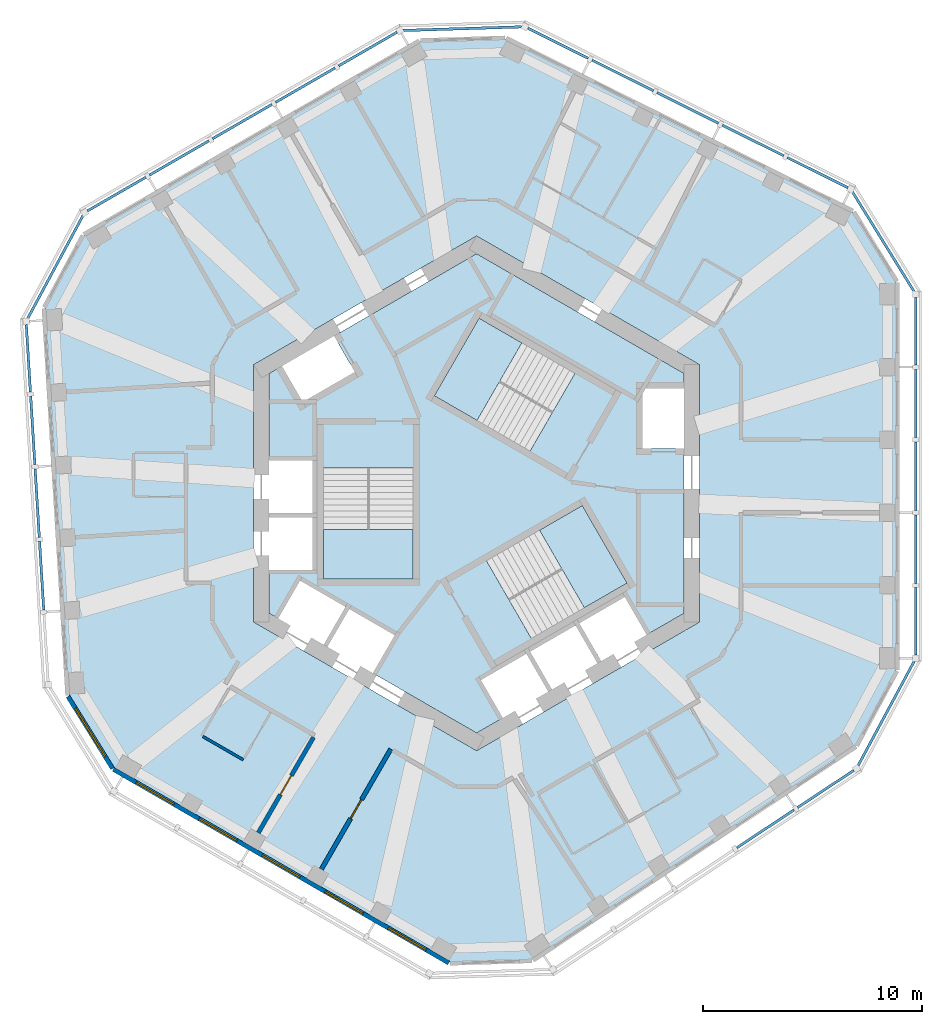
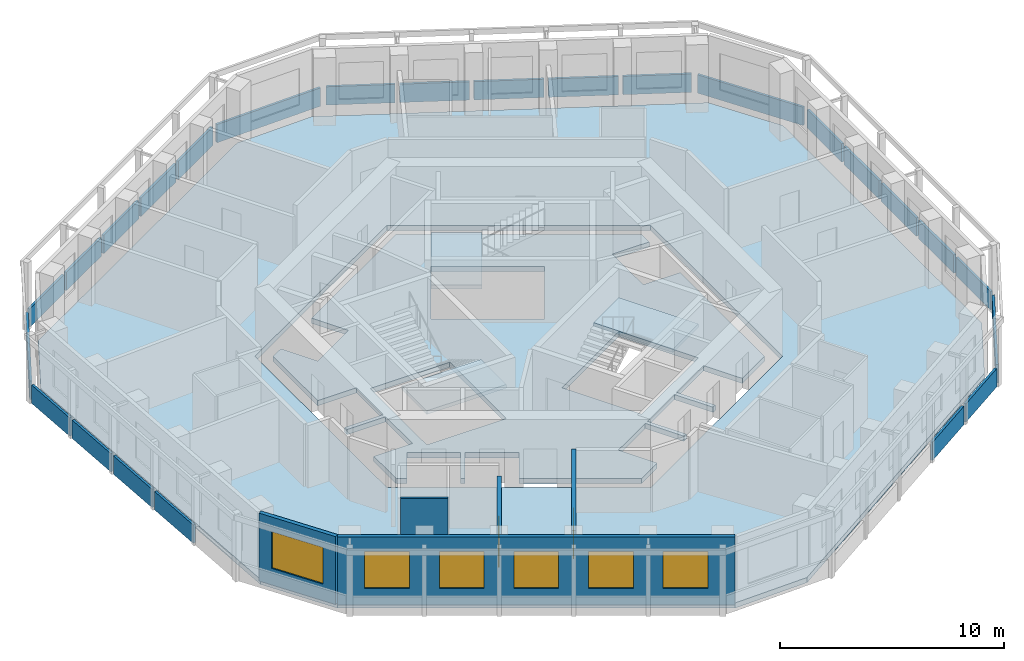
# One storey, part 3 of 11: 25 plates, 6 windows, 5 slabs, 5 walls, 2 doors, 8 openings, 12 elements without a shape of their own.
"""IFC4 building model written with IfcOpenShell, lengths in metres."""

from ifc_helpers import new_model, si_unit, direction, frame, frame_2d, origin, origin_2d, place, context, subcontext, project, spatial, polyline, rectangle, outline, extrude, material, layer, layer_set, type_object, element, fill, aggregate, save


model = new_model("IFC4")

# Units and contexts
model_context = context("Model", 3, precision=1e-05, world=origin(), true_north=direction((0.0, 1.0)))
body_context = subcontext(model_context, "Body", "Model", "MODEL_VIEW")
ifc_project = project(units=[si_unit("LENGTHUNIT", "METRE"), si_unit("AREAUNIT", "SQUARE_METRE"), si_unit("VOLUMEUNIT", "CUBIC_METRE"), si_unit("PLANEANGLEUNIT", "RADIAN"), si_unit("MASSUNIT", "GRAM", prefix="KILO")], contexts=[model_context])

# Site, building, storey
site_placement = place(None, origin())
site = spatial("IfcSite", under=ifc_project, at=site_placement, CompositionType="ELEMENT")
building_placement = place(site_placement, origin())
building = spatial("IfcBuilding", under=site, at=building_placement, Name="Vanh Sen Convention Tower", CompositionType="ELEMENT")
storey_placement = place(building_placement, frame((0.0, 0.0, 289.39990234375)))
storey = spatial("IfcBuildingStorey", under=building, at=storey_placement, Name="L71", CompositionType="ELEMENT", Elevation=289.39990234375)

# Slabs
ifc_material_1 = material(Name="Concrete C40/50", Category="concrete")
ifc_layer_1 = layer(ifc_material_1, 0.280029296875)
ifc_layer_set_1 = layer_set([ifc_layer_1], Name="Concrete C40/50")
slab_type_1 = type_object("IfcSlabType", Name="Core slab 280", PredefinedType="FLOOR", material=ifc_layer_set_1)
slab_1_placement = place(storey_placement, frame((0.0, 0.0, -0.27978515625)))
element("IfcSlab", 1, at=slab_1_placement, inside=storey, type_object=slab_type_1, Name="Core slab L71", PredefinedType="FLOOR", context=body_context, shape_type="SweptSolid", body=[
    extrude(outline(polyline([(0.0, 10.9697265625), (9.5, 5.48486328125), (9.5, 4.800048828125), (7.60009765625, 4.800048828125), (7.60009765625, 2.050048828125), (9.5, 2.050048828125), (9.5, -5.48486328125), (7.781005859375, -6.477294921875), (6.781005859375, -4.7451171875), (4.70263671875, -5.9453125), (5.70263671875, -7.67724609375), (5.529296875, -7.777099609375), (4.529296875, -6.045166015625), (2.450927734375, -7.2451171875), (3.450927734375, -8.977294921875), (3.27783203125, -9.0771484375), (2.27783203125, -7.34521484375), (0.19921875, -8.545166015625), (1.19921875, -10.277099609375), (0.0, -10.9697265625), (-4.75, -8.227294921875), (-3.75, -6.4951171875), (-5.82861328125, -5.295166015625), (-6.82861328125, -7.027099609375), (-7.001708984375, -6.92724609375), (-6.001708984375, -5.1953125), (-8.080078125, -3.9951171875), (-9.080078125, -5.727294921875), (-9.5, -5.48486328125), (-9.5, -3.5), (-7.5, -3.5), (-7.5, -1.10009765625), (-9.5, -1.10009765625), (-9.5, -0.89990234375), (-7.5, -0.89990234375), (-7.5, 1.5), (-9.5, 1.5), (-9.5, 5.48486328125), (-8.906982421875, 5.8271484375), (-7.956787109375, 4.181884765625), (-5.575439453125, 5.556884765625), (-6.525390625, 7.2021484375), (0.0, 10.9697265625)]), holes=[polyline([(-7.0, 1.1494140625), (-7.0, -3.909912109375), (-2.89990234375, -3.909912109375), (-2.89990234375, 1.1494140625), (-7.0, 1.1494140625)]), polyline([(2.504638671875, -6.63671875), (6.88623046875, -4.107177734375), (4.836181640625, -0.556396484375), (0.45458984375, -3.086181640625), (2.504638671875, -6.63671875)]), polyline([(0.11376953125, 8.01708984375), (-1.936279296875, 4.466552734375), (2.4453125, 1.936767578125), (4.495361328125, 5.487548828125), (0.11376953125, 8.01708984375)])]), origin(), (0.0, 0.0, 1.0), 0.27978515625),
])
ifc_layer_2 = layer(ifc_material_1, 0.280029296875)
ifc_layer_set_2 = layer_set([ifc_layer_2], Name="Concrete C40/50")
slab_type_2 = type_object("IfcSlabType", Name="Floor slab 280 REI 120", PredefinedType="FLOOR", material=ifc_layer_set_2)
slab_2_placement = place(storey_placement, frame((0.0, 0.0, -0.27978515625)))
element("IfcSlab", 2, at=slab_2_placement, inside=storey, type_object=slab_type_2, Name="Floor slab L71 tower", PredefinedType="FLOOR", context=body_context, shape_type="SweptSolid", body=[
    extrude(outline(polyline([(19.199951171875, -8.0966796875), (19.199951171875, 9.66162109375), (17.21337890625, 12.871826171875), (1.32080078125, 20.79541015625), (-2.587890625, 20.676025390625), (-17.967041015625, 11.796875), (-19.75390625, 8.471435546875), (-18.669921875, -9.25390625), (-16.612060546875, -12.579345703125), (-1.23291015625, -21.45849609375), (2.54052734375, -21.34326171875), (17.34912109375, -11.541748046875), (19.199951171875, -8.0966796875)]), holes=[polyline([(0.0, 11.77783203125), (-10.199951171875, 5.888916015625), (-10.199951171875, -5.888916015625), (0.0, -11.77783203125), (10.199951171875, -5.888916015625), (10.199951171875, 5.888916015625), (0.0, 11.77783203125)])]), origin(), (0.0, 0.0, 1.0), 0.27978515625),
])

# Curtain wall, plates
ifc_material_2 = material(Name="Concrete C50/60", Category="concrete")
curtain_wall_type = type_object("IfcCurtainWallType", Name="Outer skin office zone", PredefinedType="NOTDEFINED", material=ifc_material_2)
curtain_wall_1_placement = place(storey_placement, origin())
curtain_wall_1 = element("IfcCurtainWall", 3, at=curtain_wall_1_placement, inside=storey, type_object=curtain_wall_type, Name="OUTER SKIN E L71", PredefinedType="NOTDEFINED")
ifc_layer_3 = layer(ifc_material_2, 0.1201171875)
ifc_layer_set_3 = layer_set([ifc_layer_3], Name="Concrete C50/60")
plate_type = type_object("IfcPlateType", Name="Outer skin precast screen panel 120", PredefinedType="CURTAIN_PANEL", material=ifc_layer_set_3)
plate_1_placement = place(storey_placement, frame((20.10009765625, -5.85595703125, 0.0), z_axis=(0.0, 0.0, 1.0), x_axis=(0.0, 1.0, 0.0)))
plate_1 = element("IfcPlate", 4, at=plate_1_placement, type_object=plate_type, Name="OUTER SKIN screen panel E-1", PredefinedType="CURTAIN_PANEL", context=body_context, shape_type="SweptSolid", body=[
    extrude(rectangle(XDim=3.08154296875, YDim=0.1201171875, at=origin_2d()), origin(), (0.0, 0.0, 1.0), 1.0),
])
plate_2_placement = place(storey_placement, frame((20.10009765625, -2.54931640625, 0.0), z_axis=(0.0, 0.0, 1.0), x_axis=(0.0, 1.0, 0.0)))
plate_2 = element("IfcPlate", 5, at=plate_2_placement, type_object=plate_type, Name="OUTER SKIN screen panel E-2", PredefinedType="CURTAIN_PANEL", context=body_context, shape_type="SweptSolid", body=[
    extrude(rectangle(XDim=3.131591796875, YDim=0.1201171875, at=origin_2d()), origin(), (0.0, 0.0, 1.0), 1.0),
])
plate_3_placement = place(storey_placement, frame((20.10009765625, 0.782470703125, 0.0), z_axis=(0.0, 0.0, 1.0), x_axis=(0.0, 1.0, 0.0)))
plate_3 = element("IfcPlate", 6, at=plate_3_placement, type_object=plate_type, Name="OUTER SKIN screen panel E-3", PredefinedType="CURTAIN_PANEL", context=body_context, shape_type="SweptSolid", body=[
    extrude(rectangle(XDim=3.131591796875, YDim=0.1201171875, at=origin_2d()), origin(), (0.0, 0.0, 1.0), 1.0),
])
plate_4_placement = place(storey_placement, frame((20.10009765625, 4.114013671875, 0.0), z_axis=(0.0, 0.0, 1.0), x_axis=(0.0, 1.0, 0.0)))
plate_4 = element("IfcPlate", 7, at=plate_4_placement, type_object=plate_type, Name="OUTER SKIN screen panel E-4", PredefinedType="CURTAIN_PANEL", context=body_context, shape_type="SweptSolid", body=[
    extrude(rectangle(XDim=3.131591796875, YDim=0.1201171875, at=origin_2d()), origin(), (0.0, 0.0, 1.0), 1.0),
])
plate_5_placement = place(storey_placement, frame((20.10009765625, 7.420654296875, 0.0), z_axis=(0.0, 0.0, 1.0), x_axis=(0.0, 1.0, 0.0)))
plate_5 = element("IfcPlate", 8, at=plate_5_placement, type_object=plate_type, Name="OUTER SKIN screen panel E-5", PredefinedType="CURTAIN_PANEL", context=body_context, shape_type="SweptSolid", body=[
    extrude(rectangle(XDim=3.08154296875, YDim=0.1201171875, at=origin_2d()), origin(), (0.0, 0.0, 1.0), 1.0),
])
aggregate(curtain_wall_1, [plate_1, plate_2, plate_3, plate_4, plate_5])

# Curtain wall, plate
curtain_wall_2_placement = place(storey_placement, origin())
curtain_wall_2 = element("IfcCurtainWall", 9, at=curtain_wall_2_placement, inside=storey, type_object=curtain_wall_type, Name="OUTER SKIN CH1 L71", PredefinedType="NOTDEFINED")
plate_6_placement = place(storey_placement, frame((18.611328125, 11.51708984375, 0.0), z_axis=(0.0, 0.0, 1.0), x_axis=(-0.526218376078, 0.850349469734, 0.0)))
plate_6 = element("IfcPlate", 10, at=plate_6_placement, type_object=plate_type, Name="OUTER SKIN screen panel CH1-1", PredefinedType="CURTAIN_PANEL", context=body_context, shape_type="SweptSolid", body=[
    extrude(rectangle(XDim=5.35791015625, YDim=0.1201171875, at=origin_2d()), origin(), (0.0, 0.0, 1.0), 1.0),
])
aggregate(curtain_wall_2, [plate_6])

# Curtain wall, plates
curtain_wall_3_placement = place(storey_placement, origin())
curtain_wall_3 = element("IfcCurtainWall", 11, at=curtain_wall_3_placement, inside=storey, type_object=curtain_wall_type, Name="OUTER SKIN NE L71", PredefinedType="NOTDEFINED")
plate_7_placement = place(storey_placement, frame((15.609619140625, 14.677001953125, 0.0), z_axis=(0.0, 0.0, 1.0), x_axis=(-0.894931246532, 0.446204060919, 0.0)))
plate_7 = element("IfcPlate", 12, at=plate_7_placement, type_object=plate_type, Name="OUTER SKIN screen panel NE-1", PredefinedType="CURTAIN_PANEL", context=body_context, shape_type="SweptSolid", body=[
    extrude(rectangle(XDim=3.081787109375, YDim=0.1201171875, at=origin_2d()), origin(), (0.0, 0.0, 1.0), 1.0),
])
plate_8_placement = place(storey_placement, frame((12.650390625, 16.152587890625, 0.0), z_axis=(0.0, 0.0, 1.0), x_axis=(-0.894931246532, 0.446204060919, 0.0)))
plate_8 = element("IfcPlate", 13, at=plate_8_placement, type_object=plate_type, Name="OUTER SKIN screen panel NE-2", PredefinedType="CURTAIN_PANEL", context=body_context, shape_type="SweptSolid", body=[
    extrude(rectangle(XDim=3.131591796875, YDim=0.1201171875, at=origin_2d()), origin(), (0.0, 0.0, 1.0), 1.0),
])
plate_9_placement = place(storey_placement, frame((9.668701171875, 17.63916015625, 0.0), z_axis=(0.0, 0.0, 1.0), x_axis=(-0.894931246532, 0.446204060919, 0.0)))
plate_9 = element("IfcPlate", 14, at=plate_9_placement, type_object=plate_type, Name="OUTER SKIN screen panel NE-3", PredefinedType="CURTAIN_PANEL", context=body_context, shape_type="SweptSolid", body=[
    extrude(rectangle(XDim=3.131591796875, YDim=0.1201171875, at=origin_2d()), origin(), (0.0, 0.0, 1.0), 1.0),
])
plate_10_placement = place(storey_placement, frame((6.687255859375, 19.125732421875, 0.0), z_axis=(0.0, 0.0, 1.0), x_axis=(-0.89494292782, 0.446180631521, 0.0)))
plate_10 = element("IfcPlate", 15, at=plate_10_placement, type_object=plate_type, Name="OUTER SKIN screen panel NE-4", PredefinedType="CURTAIN_PANEL", context=body_context, shape_type="SweptSolid", body=[
    extrude(rectangle(XDim=3.131591796875, YDim=0.1201171875, at=origin_2d()), origin(), (0.0, 0.0, 1.0), 1.0),
])
plate_11_placement = place(storey_placement, frame((3.727783203125, 20.60107421875, 0.0), z_axis=(0.0, 0.0, 1.0), x_axis=(-0.894931246532, 0.446204060919, 0.0)))
plate_11 = element("IfcPlate", 16, at=plate_11_placement, type_object=plate_type, Name="OUTER SKIN screen panel NE-5", PredefinedType="CURTAIN_PANEL", context=body_context, shape_type="SweptSolid", body=[
    extrude(rectangle(XDim=3.081787109375, YDim=0.1201171875, at=origin_2d()), origin(), (0.0, 0.0, 1.0), 1.0),
])
aggregate(curtain_wall_3, [plate_7, plate_8, plate_9, plate_10, plate_11])

# Curtain wall, plate
curtain_wall_4_placement = place(storey_placement, origin())
curtain_wall_4 = element("IfcCurtainWall", 17, at=curtain_wall_4_placement, inside=storey, type_object=curtain_wall_type, Name="OUTER SKIN CH2 L71", PredefinedType="NOTDEFINED")
plate_12_placement = place(storey_placement, frame((-0.64990234375, 21.26806640625, 0.0), z_axis=(0.0, 0.0, 1.0), x_axis=(-0.99953391058, -0.030528046117, 0.0)))
plate_12 = element("IfcPlate", 18, at=plate_12_placement, type_object=plate_type, Name="OUTER SKIN screen panel CH2-1", PredefinedType="CURTAIN_PANEL", context=body_context, shape_type="SweptSolid", body=[
    extrude(rectangle(XDim=5.431640625, YDim=0.1201171875, at=origin_2d()), origin(), (0.0, 0.0, 1.0), 1.0),
])
aggregate(curtain_wall_4, [plate_12])

# Curtain wall, plates
curtain_wall_5_placement = place(storey_placement, origin())
curtain_wall_5 = element("IfcCurtainWall", 19, at=curtain_wall_5_placement, inside=storey, type_object=curtain_wall_type, Name="OUTER SKIN NW L71", PredefinedType="NOTDEFINED")
plate_13_placement = place(storey_placement, frame((-4.978515625, 20.335205078125, 0.0), z_axis=(0.0, 0.0, 1.0), x_axis=(-0.866015804314, -0.500016626402, 0.0)))
plate_13 = element("IfcPlate", 20, at=plate_13_placement, type_object=plate_type, Name="OUTER SKIN screen panel NW-1", PredefinedType="CURTAIN_PANEL", context=body_context, shape_type="SweptSolid", body=[
    extrude(rectangle(XDim=3.081787109375, YDim=0.1201171875, at=origin_2d()), origin(), (0.0, 0.0, 1.0), 1.0),
])
plate_14_placement = place(storey_placement, frame((-7.84228515625, 18.681640625, 0.0), z_axis=(0.0, 0.0, 1.0), x_axis=(-0.866028894422, -0.49999395399, 0.0)))
plate_14 = element("IfcPlate", 21, at=plate_14_placement, type_object=plate_type, Name="OUTER SKIN screen panel NW-2", PredefinedType="CURTAIN_PANEL", context=body_context, shape_type="SweptSolid", body=[
    extrude(rectangle(XDim=3.131591796875, YDim=0.1201171875, at=origin_2d()), origin(), (0.0, 0.0, 1.0), 1.0),
])
plate_15_placement = place(storey_placement, frame((-10.7275390625, 17.015869140625, 0.0), z_axis=(0.0, 0.0, 1.0), x_axis=(-0.866028894422, -0.49999395399, 0.0)))
plate_15 = element("IfcPlate", 22, at=plate_15_placement, type_object=plate_type, Name="OUTER SKIN screen panel NW-3", PredefinedType="CURTAIN_PANEL", context=body_context, shape_type="SweptSolid", body=[
    extrude(rectangle(XDim=3.131591796875, YDim=0.1201171875, at=origin_2d()), origin(), (0.0, 0.0, 1.0), 1.0),
])
plate_16_placement = place(storey_placement, frame((-13.61279296875, 15.35009765625, 0.0), z_axis=(0.0, 0.0, 1.0), x_axis=(-0.866015804314, -0.500016626402, 0.0)))
plate_16 = element("IfcPlate", 23, at=plate_16_placement, type_object=plate_type, Name="OUTER SKIN screen panel NW-4", PredefinedType="CURTAIN_PANEL", context=body_context, shape_type="SweptSolid", body=[
    extrude(rectangle(XDim=3.131591796875, YDim=0.1201171875, at=origin_2d()), origin(), (0.0, 0.0, 1.0), 1.0),
])
plate_17_placement = place(storey_placement, frame((-16.4765625, 13.69677734375, 0.0), z_axis=(0.0, 0.0, 1.0), x_axis=(-0.866028894422, -0.49999395399, 0.0)))
plate_17 = element("IfcPlate", 24, at=plate_17_placement, type_object=plate_type, Name="OUTER SKIN screen panel NW-5", PredefinedType="CURTAIN_PANEL", context=body_context, shape_type="SweptSolid", body=[
    extrude(rectangle(XDim=3.08154296875, YDim=0.1201171875, at=origin_2d()), origin(), (0.0, 0.0, 1.0), 1.0),
])
aggregate(curtain_wall_5, [plate_13, plate_14, plate_15, plate_16, plate_17])

# Curtain wall, plate
curtain_wall_6_placement = place(storey_placement, origin())
curtain_wall_6 = element("IfcCurtainWall", 25, at=curtain_wall_6_placement, inside=storey, type_object=curtain_wall_type, Name="OUTER SKIN CH3 L71", PredefinedType="NOTDEFINED")
plate_18_placement = place(storey_placement, frame((-19.27978515625, 10.359375, 0.0), z_axis=(0.0, 0.0, 1.0), x_axis=(-0.473324279511, -0.880888259897, 0.0)))
plate_18 = element("IfcPlate", 26, at=plate_18_placement, type_object=plate_type, Name="OUTER SKIN screen panel CH3-1", PredefinedType="CURTAIN_PANEL", context=body_context, shape_type="SweptSolid", body=[
    extrude(rectangle(XDim=5.35791015625, YDim=0.1201171875, at=origin_2d()), origin(), (0.0, 0.0, 1.0), 1.0),
])
aggregate(curtain_wall_6, [plate_18])

# Curtain wall, plates
curtain_wall_7_placement = place(storey_placement, origin())
curtain_wall_7 = element("IfcCurtainWall", 27, at=curtain_wall_7_placement, inside=storey, type_object=curtain_wall_type, Name="OUTER SKIN W L71", PredefinedType="NOTDEFINED")
plate_19_placement = place(storey_placement, frame((-20.515380859375, 6.1796875, 0.0), z_axis=(0.0, 0.0, 1.0), x_axis=(0.061052023682, -0.998134585316, 0.0)))
plate_19 = element("IfcPlate", 28, at=plate_19_placement, type_object=plate_type, Name="OUTER SKIN screen panel W-1", PredefinedType="CURTAIN_PANEL", context=body_context, shape_type="SweptSolid", body=[
    extrude(rectangle(XDim=3.08154296875, YDim=0.1201171875, at=origin_2d()), origin(), (0.0, 0.0, 1.0), 1.0),
])
plate_20_placement = place(storey_placement, frame((-20.313720703125, 2.87939453125, 0.0), z_axis=(0.0, 0.0, 1.0), x_axis=(0.061050281609, -0.998134691871, 0.0)))
plate_20 = element("IfcPlate", 29, at=plate_20_placement, type_object=plate_type, Name="OUTER SKIN screen panel W-2", PredefinedType="CURTAIN_PANEL", context=body_context, shape_type="SweptSolid", body=[
    extrude(rectangle(XDim=3.131591796875, YDim=0.1201171875, at=origin_2d()), origin(), (0.0, 0.0, 1.0), 1.0),
])
plate_21_placement = place(storey_placement, frame((-20.1103515625, -0.4462890625, 0.0), z_axis=(0.0, 0.0, 1.0), x_axis=(0.061052023682, -0.998134585316, 0.0)))
plate_21 = element("IfcPlate", 30, at=plate_21_placement, type_object=plate_type, Name="OUTER SKIN screen panel W-3", PredefinedType="CURTAIN_PANEL", context=body_context, shape_type="SweptSolid", body=[
    extrude(rectangle(XDim=3.131591796875, YDim=0.1201171875, at=origin_2d()), origin(), (0.0, 0.0, 1.0), 1.0),
])
plate_22_placement = place(storey_placement, frame((-19.906982421875, -3.771484375, 0.0), z_axis=(0.0, 0.0, 1.0), x_axis=(0.061052023682, -0.998134585316, 0.0)))
plate_22 = element("IfcPlate", 31, at=plate_22_placement, type_object=plate_type, Name="OUTER SKIN screen panel W-4", PredefinedType="CURTAIN_PANEL", context=body_context, shape_type="SweptSolid", body=[
    extrude(rectangle(XDim=3.131591796875, YDim=0.1201171875, at=origin_2d()), origin(), (0.0, 0.0, 1.0), 1.0),
])
aggregate(curtain_wall_7, [plate_19, plate_20, plate_21, plate_22])

curtain_wall_8_placement = place(storey_placement, origin())
curtain_wall_8 = element("IfcCurtainWall", 32, at=curtain_wall_8_placement, inside=storey, type_object=curtain_wall_type, Name="OUTER SKIN SE L71", PredefinedType="NOTDEFINED")
plate_23_placement = place(storey_placement, frame((13.2197265625, -15.35400390625, 0.0), z_axis=(0.0, 0.0, 1.0), x_axis=(0.833879078823, 0.551947173108, 0.0)))
plate_23 = element("IfcPlate", 33, at=plate_23_placement, type_object=plate_type, Name="OUTER SKIN screen panel SE-4", PredefinedType="CURTAIN_PANEL", context=body_context, shape_type="SweptSolid", body=[
    extrude(rectangle(XDim=3.131591796875, YDim=0.1201171875, at=origin_2d()), origin(), (0.0, 0.0, 1.0), 1.0),
])
plate_24_placement = place(storey_placement, frame((15.97705078125, -13.529052734375, 0.0), z_axis=(0.0, 0.0, 1.0), x_axis=(0.833879078823, 0.551947173108, 0.0)))
plate_24 = element("IfcPlate", 34, at=plate_24_placement, type_object=plate_type, Name="OUTER SKIN screen panel SE-5", PredefinedType="CURTAIN_PANEL", context=body_context, shape_type="SweptSolid", body=[
    extrude(rectangle(XDim=3.081787109375, YDim=0.1201171875, at=origin_2d()), origin(), (0.0, 0.0, 1.0), 1.0),
])
aggregate(curtain_wall_8, [plate_23, plate_24])

# Curtain wall, plate
curtain_wall_9_placement = place(storey_placement, origin())
curtain_wall_9 = element("IfcCurtainWall", 35, at=curtain_wall_9_placement, inside=storey, type_object=curtain_wall_type, Name="OUTER SKIN CH6 L71", PredefinedType="NOTDEFINED")
plate_25_placement = place(storey_placement, frame((18.743408203125, -10.0712890625, 0.0), z_axis=(0.0, 0.0, 1.0), x_axis=(0.473324279511, 0.880888259897, 0.0)))
plate_25 = element("IfcPlate", 36, at=plate_25_placement, type_object=plate_type, Name="OUTER SKIN screen panel CH6-1", PredefinedType="CURTAIN_PANEL", context=body_context, shape_type="SweptSolid", body=[
    extrude(rectangle(XDim=5.431884765625, YDim=0.1201171875, at=origin_2d()), origin(), (0.0, 0.0, 1.0), 1.0),
])
aggregate(curtain_wall_9, [plate_25])

# Stair, slab
ifc_material_3 = material(Name="Concrete C50/60", Category="concrete")
stair_type_1 = type_object("IfcStairType", Name="Exit stair ST1 22 risers at 168.2", PredefinedType="HALF_TURN_STAIR", material=ifc_material_3)
stair_1_placement = place(storey_placement, origin())
stair_1 = element("IfcStair", 37, at=stair_1_placement, inside=storey, type_object=stair_type_1, Name="Exit stair ST1 L71", PredefinedType="HALF_TURN_STAIR")
ifc_layer_4 = layer(ifc_material_1, 0.199951171875)
ifc_layer_set_4 = layer_set([ifc_layer_4], Name="Concrete C40/50")
slab_type_3 = type_object("IfcSlabType", Name="Stair landing 200", PredefinedType="LANDING", material=ifc_layer_set_4)
slab_3_placement = place(storey_placement, frame((0.0, 0.0, 1.650146484375)))
slab_3 = element("IfcSlab", 38, at=slab_3_placement, type_object=slab_type_3, Name="ST1 landing 1", PredefinedType="LANDING", context=body_context, shape_type="SweptSolid", body=[
    extrude(outline(polyline([(2.07177734375, 6.88671875), (0.11376953125, 8.01708984375), (-1.936279296875, 4.466552734375), (0.021728515625, 3.336181640625), (2.07177734375, 6.88671875)])), origin(), (0.0, 0.0, 1.0), 0.199951171875),
])
aggregate(stair_1, [slab_3])

stair_type_2 = type_object("IfcStairType", Name="Exit stair ST2 22 risers at 168.2", PredefinedType="HALF_TURN_STAIR", material=ifc_material_3)
stair_2_placement = place(storey_placement, origin())
stair_2 = element("IfcStair", 39, at=stair_2_placement, inside=storey, type_object=stair_type_2, Name="Exit stair ST2 L71", PredefinedType="HALF_TURN_STAIR")
slab_4_placement = place(storey_placement, frame((0.0, 0.0, 1.650146484375)))
slab_4 = element("IfcSlab", 40, at=slab_4_placement, type_object=slab_type_3, Name="ST2 landing 1", PredefinedType="LANDING", context=body_context, shape_type="SweptSolid", body=[
    extrude(outline(polyline([(-7.0, -1.6494140625), (-7.0, -3.909912109375), (-2.89990234375, -3.909912109375), (-2.89990234375, -1.6494140625), (-7.0, -1.6494140625)])), origin(), (0.0, 0.0, 1.0), 0.199951171875),
])
aggregate(stair_2, [slab_4])

stair_type_3 = type_object("IfcStairType", Name="Exit stair ST3 22 risers at 168.2", PredefinedType="HALF_TURN_STAIR", material=ifc_material_3)
stair_3_placement = place(storey_placement, origin())
stair_3 = element("IfcStair", 41, at=stair_3_placement, inside=storey, type_object=stair_type_3, Name="Exit stair ST3 L71", PredefinedType="HALF_TURN_STAIR")
slab_5_placement = place(storey_placement, frame((0.0, 0.0, 1.650146484375)))
slab_5 = element("IfcSlab", 42, at=slab_5_placement, type_object=slab_type_3, Name="ST3 landing 1", PredefinedType="LANDING", context=body_context, shape_type="SweptSolid", body=[
    extrude(outline(polyline([(4.92822265625, -5.237548828125), (6.88623046875, -4.107177734375), (4.836181640625, -0.556396484375), (2.87841796875, -1.686767578125), (4.92822265625, -5.237548828125)])), origin(), (0.0, 0.0, 1.0), 0.199951171875),
])
aggregate(stair_3, [slab_5])

# Wall
ifc_material_4 = material(Name="Moisture-resistant gypsum board on steel studs", Category="steel")
ifc_layer_5 = layer(ifc_material_4, 0.1201171875)
ifc_layer_set_5 = layer_set([ifc_layer_5], Name="Moisture-resistant gypsum board on steel studs")
wall_type_1 = type_object("IfcWallType", Name="Bathroom partition 120", PredefinedType="PARTITIONING", material=ifc_layer_set_5)
wall_1_placement = place(storey_placement, frame((-10.67919921875, -12.1953125, 0.0), z_axis=(0.0, 0.0, 1.0), x_axis=(-0.866037418504, 0.499979189318, 0.0)))
element("IfcWall", 43, at=wall_1_placement, inside=storey, type_object=wall_type_1, Name="Bathroom partition 120", PredefinedType="PARTITIONING", context=body_context, shape_type="SweptSolid", body=[
    extrude(rectangle(XDim=2.14013671875, YDim=0.1201171875, at=frame_2d((1.070068359375, 0.0))), origin(), (0.0, 0.0, 1.0), 3.420166015625),
])

# Wall, opening, door
ifc_material_5 = material(Name="Gypsum board on steel studs with mineral wool", Category="steel")
ifc_layer_6 = layer(ifc_material_5, 0.199951171875)
ifc_layer_set_6 = layer_set([ifc_layer_6], Name="Gypsum board on steel studs with mineral wool")
wall_type_2 = type_object("IfcWallType", Name="Corridor partition wall 200", PredefinedType="PARTITIONING", material=ifc_layer_set_6)
wall_2_placement = place(storey_placement, frame((-9.989990234375, -15.53662109375, 0.0), z_axis=(0.0, 0.0, 1.0), x_axis=(0.499966611936, 0.866044679534, 0.0)))
wall_2 = element("IfcWall", 44, at=wall_2_placement, inside=storey, type_object=wall_type_2, Name="Corridor partition wall 200", PredefinedType="PARTITIONING", context=body_context, shape_type="SweptSolid", body=[
    extrude(rectangle(XDim=5.049072265625, YDim=0.199951171875, at=frame_2d((2.5244140625, 0.0))), origin(), (0.0, 0.0, 1.0), 2.8701171875),
])
opening_1_placement = place(wall_2_placement, frame((2.0244140625, 0.0, 0.0)))
opening_1 = element("IfcOpeningElement", 45, at=opening_1_placement, cuts=wall_2, Name="Opening D70113", PredefinedType="OPENING", context=body_context, shape_type="SweptSolid", body=[
    extrude(rectangle(XDim=1.0, YDim=2.10009765625, at=frame_2d((0.5, 1.050048828125))), frame((0.0, 0.10986328125, 0.0), z_axis=(0.0, -1.0, 0.0), x_axis=(1.0, 0.0, 0.0)), (0.0, 0.0, 1.0), 0.219970703125),
])
ifc_material_6 = material(Name="Glazed fire door in steel frame", Category="steel")
door_type_1 = type_object("IfcDoorType", Name="Tenant entrance door 1000", OperationType="SINGLE_SWING_LEFT", PredefinedType="DOOR", material=ifc_material_6)
door_1_placement = place(opening_1_placement, origin())
door_1 = element("IfcDoor", 46, at=door_1_placement, inside=storey, type_object=door_type_1, Name="Tenant suite entrance door D70113", OperationType="SINGLE_SWING_LEFT", OverallHeight=2.10009765625, OverallWidth=1.0, PredefinedType="DOOR", context=body_context, shape_type="SweptSolid", body=[
    extrude(rectangle(XDim=1.0, YDim=2.10009765625, at=frame_2d((0.5, 1.050048828125))), frame((0.0, 0.02490234375, 0.0), z_axis=(0.0, -1.0, 0.0), x_axis=(1.0, 0.0, 0.0)), (0.0, 0.0, 1.0), 0.050048828125),
])
fill(opening_1, door_1)

wall_3_placement = place(storey_placement, frame((-7.104736328125, -17.202392578125, 0.0), z_axis=(0.0, 0.0, 1.0), x_axis=(0.499988692146, 0.866031932279, 0.0)))
wall_3 = element("IfcWall", 47, at=wall_3_placement, inside=storey, type_object=wall_type_2, Name="Corridor partition wall 200", PredefinedType="PARTITIONING", context=body_context, shape_type="SweptSolid", body=[
    extrude(rectangle(XDim=6.350341796875, YDim=0.199951171875, at=frame_2d((3.17529296875, 0.0))), origin(), (0.0, 0.0, 1.0), 3.420166015625),
])
opening_2_placement = place(wall_3_placement, frame((2.675048828125, 0.0, 0.0)))
opening_2 = element("IfcOpeningElement", 48, at=opening_2_placement, cuts=wall_3, Name="Opening D70115", PredefinedType="OPENING", context=body_context, shape_type="SweptSolid", body=[
    extrude(rectangle(XDim=1.0, YDim=2.10009765625, at=frame_2d((0.5, 1.050048828125))), frame((0.0, 0.10986328125, 0.0), z_axis=(0.0, -1.0, 0.0), x_axis=(1.0, 0.0, 0.0)), (0.0, 0.0, 1.0), 0.219970703125),
])
ifc_material_7 = material(Name="Timber fire door in steel frame", Category="steel")
door_type_2 = type_object("IfcDoorType", Name="Floor room door 1000", OperationType="SINGLE_SWING_LEFT", PredefinedType="DOOR", material=ifc_material_7)
door_2_placement = place(opening_2_placement, origin())
door_2 = element("IfcDoor", 49, at=door_2_placement, inside=storey, type_object=door_type_2, Name="Meeting and amenity room door D70115", OperationType="SINGLE_SWING_LEFT", OverallHeight=2.10009765625, OverallWidth=1.0, PredefinedType="DOOR", context=body_context, shape_type="SweptSolid", body=[
    extrude(rectangle(XDim=1.0, YDim=2.10009765625, at=frame_2d((0.5, 1.050048828125))), frame((0.0, 0.02490234375, 0.0), z_axis=(0.0, -1.0, 0.0), x_axis=(1.0, 0.0, 0.0)), (0.0, 0.0, 1.0), 0.050048828125),
])
fill(opening_2, door_2)

# Wall, opening, window
ifc_material_8 = material(Name="Insulated lightweight infill wall")
ifc_layer_7 = layer(ifc_material_8, 0.199951171875)
ifc_layer_set_7 = layer_set([ifc_layer_7], Name="Insulated lightweight infill wall")
wall_type_3 = type_object("IfcWallType", Name="External wall 200", PredefinedType="STANDARD", material=ifc_layer_set_7)
wall_4_placement = place(storey_placement, frame((-18.705810546875, -9.290771484375, 0.0), z_axis=(0.0, 0.0, 1.0), x_axis=(0.526209683648, -0.850354848775, 0.0)))
wall_4 = element("IfcWall", 50, at=wall_4_placement, inside=storey, type_object=wall_type_3, Name="External wall CH4 L71", PredefinedType="STANDARD", context=body_context, shape_type="SweptSolid", body=[
    extrude(rectangle(XDim=3.8857421875, YDim=0.199951171875, at=frame_2d((1.94287109375, 0.0))), origin(), (0.0, 0.0, 1.0), 3.7001953125),
])
opening_3_placement = place(wall_4_placement, frame((0.642822265625, 0.0, 0.89990234375)))
opening_3 = element("IfcOpeningElement", 51, at=opening_3_placement, cuts=wall_4, Name="Opening WO6-CH41", PredefinedType="OPENING", context=body_context, shape_type="SweptSolid", body=[
    extrude(rectangle(XDim=2.60009765625, YDim=2.0, at=frame_2d((1.300048828125, 1.0))), frame((0.0, 0.10986328125, 0.0), z_axis=(0.0, -1.0, 0.0), x_axis=(1.0, 0.0, 0.0)), (0.0, 0.0, 1.0), 0.219970703125),
])
ifc_material_9 = material(Name="Aluminium frame with clear low-emissivity glass", Category="aluminium")
window_type_1 = type_object("IfcWindowType", Name="Office window 2600 x 2000", PartitioningType="SINGLE_PANEL", PredefinedType="WINDOW", material=ifc_material_9)
window_1_placement = place(opening_3_placement, origin())
window_1 = element("IfcWindow", 52, at=window_1_placement, inside=storey, type_object=window_type_1, Name="Window WO6-CH41", OverallHeight=2.0, OverallWidth=2.60009765625, PartitioningType="SINGLE_PANEL", PredefinedType="WINDOW", context=body_context, shape_type="SweptSolid", body=[
    extrude(rectangle(XDim=2.60009765625, YDim=2.0, at=frame_2d((1.300048828125, 1.0))), frame((0.0, 0.030029296875, 0.0), z_axis=(0.0, -1.0, 0.0), x_axis=(1.0, 0.0, 0.0)), (0.0, 0.0, 1.0), 0.06005859375),
])
fill(opening_3, window_1)

# Wall, openings, windows
wall_5_placement = place(storey_placement, frame((-16.626220703125, -12.62890625, 0.0), z_axis=(0.0, 0.0, 1.0), x_axis=(0.866026460444, -0.499998169808, 0.0)))
wall_5 = element("IfcWall", 53, at=wall_5_placement, inside=storey, type_object=wall_type_3, Name="External wall SW L71", PredefinedType="STANDARD", context=body_context, shape_type="SweptSolid", body=[
    extrude(rectangle(XDim=17.7314453125, YDim=0.199951171875, at=frame_2d((8.86572265625, 0.0))), origin(), (0.0, 0.0, 1.0), 3.7001953125),
])
opening_4_placement = place(wall_5_placement, frame((1.203125, 0.0, 0.89990234375)))
opening_4 = element("IfcOpeningElement", 54, at=opening_4_placement, cuts=wall_5, Name="Opening WO5-SW1", PredefinedType="OPENING", context=body_context, shape_type="SweptSolid", body=[
    extrude(rectangle(XDim=2.0, YDim=2.0, at=frame_2d((1.0, 1.0))), frame((0.0, 0.10986328125, 0.0), z_axis=(0.0, -1.0, 0.0), x_axis=(1.0, 0.0, 0.0)), (0.0, 0.0, 1.0), 0.219970703125),
])
opening_5_placement = place(wall_5_placement, frame((4.534912109375, 0.0, 0.89990234375)))
opening_5 = element("IfcOpeningElement", 55, at=opening_5_placement, cuts=wall_5, Name="Opening WO5-SW2", PredefinedType="OPENING", context=body_context, shape_type="SweptSolid", body=[
    extrude(rectangle(XDim=2.0, YDim=2.0, at=frame_2d((1.0, 1.0))), frame((0.0, 0.10986328125, 0.0), z_axis=(0.0, -1.0, 0.0), x_axis=(1.0, 0.0, 0.0)), (0.0, 0.0, 1.0), 0.219970703125),
])
opening_6_placement = place(wall_5_placement, frame((7.86669921875, 0.0, 0.89990234375)))
opening_6 = element("IfcOpeningElement", 56, at=opening_6_placement, cuts=wall_5, Name="Opening WO5-SW3", PredefinedType="OPENING", context=body_context, shape_type="SweptSolid", body=[
    extrude(rectangle(XDim=2.0, YDim=2.0, at=frame_2d((1.0, 1.0))), frame((0.0, 0.10986328125, 0.0), z_axis=(0.0, -1.0, 0.0), x_axis=(1.0, 0.0, 0.0)), (0.0, 0.0, 1.0), 0.219970703125),
])
opening_7_placement = place(wall_5_placement, frame((11.1982421875, 0.0, 0.89990234375)))
opening_7 = element("IfcOpeningElement", 57, at=opening_7_placement, cuts=wall_5, Name="Opening WO5-SW4", PredefinedType="OPENING", context=body_context, shape_type="SweptSolid", body=[
    extrude(rectangle(XDim=2.0, YDim=2.0, at=frame_2d((1.0, 1.0))), frame((0.0, 0.10986328125, 0.0), z_axis=(0.0, -1.0, 0.0), x_axis=(1.0, 0.0, 0.0)), (0.0, 0.0, 1.0), 0.219970703125),
])
opening_8_placement = place(wall_5_placement, frame((14.52978515625, 0.0, 0.89990234375)))
opening_8 = element("IfcOpeningElement", 58, at=opening_8_placement, cuts=wall_5, Name="Opening WO5-SW5", PredefinedType="OPENING", context=body_context, shape_type="SweptSolid", body=[
    extrude(rectangle(XDim=2.0, YDim=2.0, at=frame_2d((1.0, 1.0))), frame((0.0, 0.10986328125, 0.0), z_axis=(0.0, -1.0, 0.0), x_axis=(1.0, 0.0, 0.0)), (0.0, 0.0, 1.0), 0.219970703125),
])
window_type_2 = type_object("IfcWindowType", Name="Office window 2000 x 2000", PartitioningType="SINGLE_PANEL", PredefinedType="WINDOW", material=ifc_material_9)
window_2_placement = place(opening_4_placement, origin())
window_2 = element("IfcWindow", 59, at=window_2_placement, inside=storey, type_object=window_type_2, Name="Window WO5-SW1", OverallHeight=2.0, OverallWidth=2.0, PartitioningType="SINGLE_PANEL", PredefinedType="WINDOW", context=body_context, shape_type="SweptSolid", body=[
    extrude(rectangle(XDim=2.0, YDim=2.0, at=frame_2d((1.0, 1.0))), frame((0.0, 0.030029296875, 0.0), z_axis=(0.0, -1.0, 0.0), x_axis=(1.0, 0.0, 0.0)), (0.0, 0.0, 1.0), 0.06005859375),
])
fill(opening_4, window_2)
window_3_placement = place(opening_5_placement, origin())
window_3 = element("IfcWindow", 60, at=window_3_placement, inside=storey, type_object=window_type_2, Name="Window WO5-SW2", OverallHeight=2.0, OverallWidth=2.0, PartitioningType="SINGLE_PANEL", PredefinedType="WINDOW", context=body_context, shape_type="SweptSolid", body=[
    extrude(rectangle(XDim=2.0, YDim=2.0, at=frame_2d((1.0, 1.0))), frame((0.0, 0.030029296875, 0.0), z_axis=(0.0, -1.0, 0.0), x_axis=(1.0, 0.0, 0.0)), (0.0, 0.0, 1.0), 0.06005859375),
])
fill(opening_5, window_3)
window_4_placement = place(opening_6_placement, origin())
window_4 = element("IfcWindow", 61, at=window_4_placement, inside=storey, type_object=window_type_2, Name="Window WO5-SW3", OverallHeight=2.0, OverallWidth=2.0, PartitioningType="SINGLE_PANEL", PredefinedType="WINDOW", context=body_context, shape_type="SweptSolid", body=[
    extrude(rectangle(XDim=2.0, YDim=2.0, at=frame_2d((1.0, 1.0))), frame((0.0, 0.030029296875, 0.0), z_axis=(0.0, -1.0, 0.0), x_axis=(1.0, 0.0, 0.0)), (0.0, 0.0, 1.0), 0.06005859375),
])
fill(opening_6, window_4)
window_5_placement = place(opening_7_placement, origin())
window_5 = element("IfcWindow", 62, at=window_5_placement, inside=storey, type_object=window_type_2, Name="Window WO5-SW4", OverallHeight=2.0, OverallWidth=2.0, PartitioningType="SINGLE_PANEL", PredefinedType="WINDOW", context=body_context, shape_type="SweptSolid", body=[
    extrude(rectangle(XDim=2.0, YDim=2.0, at=frame_2d((1.0, 1.0))), frame((0.0, 0.030029296875, 0.0), z_axis=(0.0, -1.0, 0.0), x_axis=(1.0, 0.0, 0.0)), (0.0, 0.0, 1.0), 0.06005859375),
])
fill(opening_7, window_5)
window_6_placement = place(opening_8_placement, origin())
window_6 = element("IfcWindow", 63, at=window_6_placement, inside=storey, type_object=window_type_2, Name="Window WO5-SW5", OverallHeight=2.0, OverallWidth=2.0, PartitioningType="SINGLE_PANEL", PredefinedType="WINDOW", context=body_context, shape_type="SweptSolid", body=[
    extrude(rectangle(XDim=2.0, YDim=2.0, at=frame_2d((1.0, 1.0))), frame((0.0, 0.030029296875, 0.0), z_axis=(0.0, -1.0, 0.0), x_axis=(1.0, 0.0, 0.0)), (0.0, 0.0, 1.0), 0.06005859375),
])
fill(opening_8, window_6)

save(model, "model.ifc")
